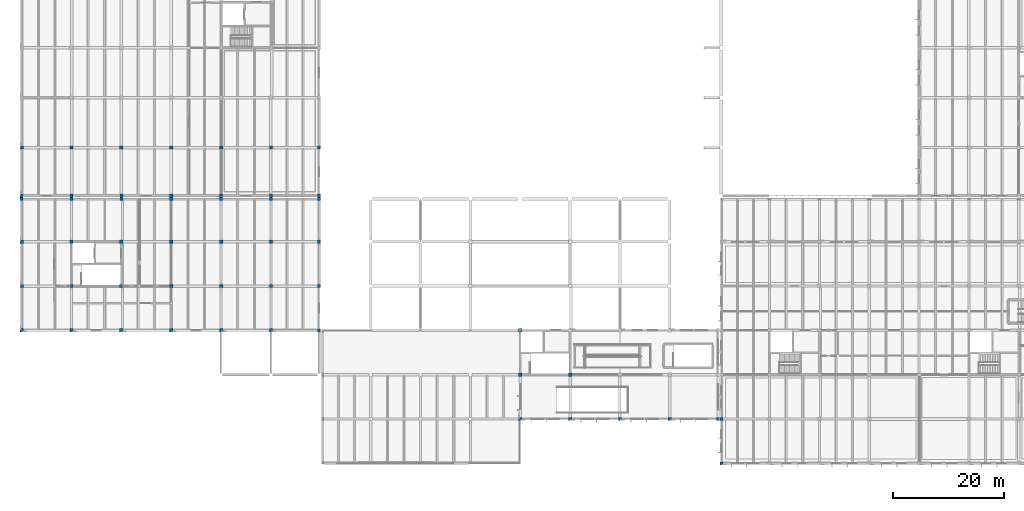
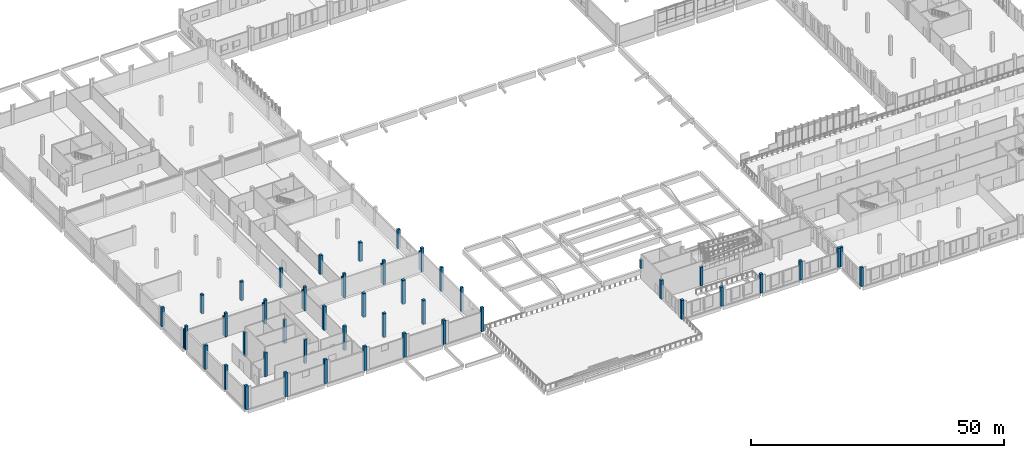
# One storey, part 1 of 63: 52 columns.
"""IFC4 building model written with IfcOpenShell, lengths in metres."""

from ifc_helpers import new_model, si_unit, direction, frame, origin, origin_2d, place, context, subcontext, project, spatial, rectangle, extrude, material, material_profile, profile_set, type_object, element, save


model = new_model("IFC4")

# Units and contexts
model_context = context("Model", 3, precision=1e-05, world=origin(), true_north=direction((0.0, 1.0)))
body_context = subcontext(model_context, "Body", "Model", "MODEL_VIEW")
ifc_project = project(units=[si_unit("LENGTHUNIT", "METRE"), si_unit("AREAUNIT", "SQUARE_METRE"), si_unit("VOLUMEUNIT", "CUBIC_METRE"), si_unit("PLANEANGLEUNIT", "RADIAN"), si_unit("MASSUNIT", "GRAM", prefix="KILO")], contexts=[model_context])

# Site, building, storey
site_placement = place(None, origin())
site = spatial("IfcSite", under=ifc_project, at=site_placement, CompositionType="ELEMENT")
building_placement = place(site_placement, origin())
building = spatial("IfcBuilding", under=site, at=building_placement, Name="Zacnel Wholesale Market", CompositionType="ELEMENT")
storey_placement = place(building_placement, frame((0.0, 0.0, 11.199951171875)))
storey = spatial("IfcBuildingStorey", under=building, at=storey_placement, Name="L03", CompositionType="ELEMENT", Elevation=11.199951171875)

# Columns
ifc_material_1 = material(Name="Precast concrete C45/55", Category="concrete")
ifc_material_profile_1 = material_profile(ifc_material_1, rectangle(XDim=0.550048828125, YDim=0.550048828125, at=origin_2d()), Name="PC 550x550")
ifc_profile_set_1 = profile_set([ifc_material_profile_1], Name="Precast concrete C45/55")
column_type_1 = type_object("IfcColumnType", Name="COL-PC550", PredefinedType="COLUMN", material=ifc_profile_set_1)
column_1_placement = place(storey_placement, frame((18.0, 47.699951171875, 0.0), z_axis=(0.0, 0.0, 1.0), x_axis=(1.0, 0.0, 0.0)))
element("IfcColumn", 1, at=column_1_placement, inside=storey, type_object=column_type_1, Name="Precast column L03-0649", PredefinedType="COLUMN", context=body_context, shape_type="SweptSolid", body=[
    extrude(rectangle(XDim=0.550048828125, YDim=0.550048828125, at=origin_2d()), origin(), (0.0, 0.0, 1.0), 5.75),
])
column_2_placement = place(storey_placement, frame((18.0, 48.300048828125, 0.0), z_axis=(0.0, 0.0, 1.0), x_axis=(1.0, 0.0, 0.0)))
element("IfcColumn", 2, at=column_2_placement, inside=storey, type_object=column_type_1, Name="Precast column L03-0650", PredefinedType="COLUMN", context=body_context, shape_type="SweptSolid", body=[
    extrude(rectangle(XDim=0.550048828125, YDim=0.550048828125, at=origin_2d()), origin(), (0.0, 0.0, 1.0), 4.550048828125),
])
column_3_placement = place(storey_placement, frame((27.0, 47.699951171875, 0.0), z_axis=(0.0, 0.0, 1.0), x_axis=(1.0, 0.0, 0.0)))
element("IfcColumn", 3, at=column_3_placement, inside=storey, type_object=column_type_1, Name="Precast column L03-0663", PredefinedType="COLUMN", context=body_context, shape_type="SweptSolid", body=[
    extrude(rectangle(XDim=0.550048828125, YDim=0.550048828125, at=origin_2d()), origin(), (0.0, 0.0, 1.0), 5.75),
])
column_4_placement = place(storey_placement, frame((27.0, 48.300048828125, 0.0), z_axis=(0.0, 0.0, 1.0), x_axis=(1.0, 0.0, 0.0)))
element("IfcColumn", 4, at=column_4_placement, inside=storey, type_object=column_type_1, Name="Precast column L03-0664", PredefinedType="COLUMN", context=body_context, shape_type="SweptSolid", body=[
    extrude(rectangle(XDim=0.550048828125, YDim=0.550048828125, at=origin_2d()), origin(), (0.0, 0.0, 1.0), 4.550048828125),
])
column_5_placement = place(storey_placement, frame((36.0, 47.699951171875, 0.0), z_axis=(0.0, 0.0, 1.0), x_axis=(1.0, 0.0, 0.0)))
element("IfcColumn", 5, at=column_5_placement, inside=storey, type_object=column_type_1, Name="Precast column L03-0677", PredefinedType="COLUMN", context=body_context, shape_type="SweptSolid", body=[
    extrude(rectangle(XDim=0.550048828125, YDim=0.550048828125, at=origin_2d()), origin(), (0.0, 0.0, 1.0), 5.75),
])
column_6_placement = place(storey_placement, frame((36.0, 48.300048828125, 0.0), z_axis=(0.0, 0.0, 1.0), x_axis=(1.0, 0.0, 0.0)))
element("IfcColumn", 6, at=column_6_placement, inside=storey, type_object=column_type_1, Name="Precast column L03-0678", PredefinedType="COLUMN", context=body_context, shape_type="SweptSolid", body=[
    extrude(rectangle(XDim=0.550048828125, YDim=0.550048828125, at=origin_2d()), origin(), (0.0, 0.0, 1.0), 4.550048828125),
])
column_7_placement = place(storey_placement, frame((45.0, 47.699951171875, 0.0), z_axis=(0.0, 0.0, 1.0), x_axis=(1.0, 0.0, 0.0)))
element("IfcColumn", 7, at=column_7_placement, inside=storey, type_object=column_type_1, Name="Precast column L03-0691", PredefinedType="COLUMN", context=body_context, shape_type="SweptSolid", body=[
    extrude(rectangle(XDim=0.550048828125, YDim=0.550048828125, at=origin_2d()), origin(), (0.0, 0.0, 1.0), 5.75),
])
column_8_placement = place(storey_placement, frame((45.0, 48.300048828125, 0.0), z_axis=(0.0, 0.0, 1.0), x_axis=(1.0, 0.0, 0.0)))
element("IfcColumn", 8, at=column_8_placement, inside=storey, type_object=column_type_1, Name="Precast column L03-0692", PredefinedType="COLUMN", context=body_context, shape_type="SweptSolid", body=[
    extrude(rectangle(XDim=0.550048828125, YDim=0.550048828125, at=origin_2d()), origin(), (0.0, 0.0, 1.0), 4.550048828125),
])
column_9_placement = place(storey_placement, frame((54.0, 47.699951171875, 0.0), z_axis=(0.0, 0.0, 1.0), x_axis=(1.0, 0.0, 0.0)))
element("IfcColumn", 9, at=column_9_placement, inside=storey, type_object=column_type_1, Name="Precast column L03-0705", PredefinedType="COLUMN", context=body_context, shape_type="SweptSolid", body=[
    extrude(rectangle(XDim=0.550048828125, YDim=0.550048828125, at=origin_2d()), origin(), (0.0, 0.0, 1.0), 5.75),
])
column_10_placement = place(storey_placement, frame((54.0, 48.300048828125, 0.0), z_axis=(0.0, 0.0, 1.0), x_axis=(1.0, 0.0, 0.0)))
element("IfcColumn", 10, at=column_10_placement, inside=storey, type_object=column_type_1, Name="Precast column L03-0706", PredefinedType="COLUMN", context=body_context, shape_type="SweptSolid", body=[
    extrude(rectangle(XDim=0.550048828125, YDim=0.550048828125, at=origin_2d()), origin(), (0.0, 0.0, 1.0), 4.550048828125),
])
column_11_placement = place(storey_placement, frame((63.0, 47.699951171875, 0.0), z_axis=(0.0, 0.0, 1.0), x_axis=(1.0, 0.0, 0.0)))
element("IfcColumn", 11, at=column_11_placement, inside=storey, type_object=column_type_1, Name="Precast column L03-0719", PredefinedType="COLUMN", context=body_context, shape_type="SweptSolid", body=[
    extrude(rectangle(XDim=0.550048828125, YDim=0.550048828125, at=origin_2d()), origin(), (0.0, 0.0, 1.0), 5.75),
])
column_12_placement = place(storey_placement, frame((63.0, 48.300048828125, 0.0), z_axis=(0.0, 0.0, 1.0), x_axis=(1.0, 0.0, 0.0)))
element("IfcColumn", 12, at=column_12_placement, inside=storey, type_object=column_type_1, Name="Precast column L03-0720", PredefinedType="COLUMN", context=body_context, shape_type="SweptSolid", body=[
    extrude(rectangle(XDim=0.550048828125, YDim=0.550048828125, at=origin_2d()), origin(), (0.0, 0.0, 1.0), 4.550048828125),
])
for number, where, z_axis, x_axis, name in (
    (13, (71.699951171875, 24.0, 0.0), (0.0, 0.0, 1.0), (1.0, 0.0, 0.0), "Precast column L03-0730"),
    (14, (71.699951171875, 32.0, 0.0), (0.0, 0.0, 1.0), (1.0, 0.0, 0.0), "Precast column L03-0731"),
    (15, (71.699951171875, 40.0, 0.0), (0.0, 0.0, 1.0), (1.0, 0.0, 0.0), "Precast column L03-0732"),
    (16, (71.699951171875, 47.699951171875, 0.0), (0.0, 0.0, 1.0), (1.0, 0.0, 0.0), "Precast column L03-0733"),
):
    element("IfcColumn", number, at=place(storey_placement, frame(where, z_axis=z_axis, x_axis=x_axis)), inside=storey, type_object=column_type_1, Name=name, PredefinedType="COLUMN", context=body_context, shape_type="SweptSolid", body=[
        extrude(rectangle(XDim=0.550048828125, YDim=0.550048828125, at=origin_2d()), origin(), (0.0, 0.0, 1.0), 5.75),
    ])
for number, where, z_axis, x_axis, name in (
    (17, (71.699951171875, 48.300048828125, 0.0), (0.0, 0.0, 1.0), (1.0, 0.0, 0.0), "Precast column L03-0734"),
    (18, (71.699951171875, 57.0, 0.0), (0.0, 0.0, 1.0), (1.0, 0.0, 0.0), "Precast column L03-0735"),
    (19, (144.300048828125, 0.0, 0.0), (0.0, 0.0, 1.0), (1.0, 0.0, 0.0), "Precast column L03-0762"),
    (20, (144.300048828125, 8.0, 0.0), (0.0, 0.0, 1.0), (1.0, 0.0, 0.0), "Precast column L03-0763"),
):
    element("IfcColumn", number, at=place(storey_placement, frame(where, z_axis=z_axis, x_axis=x_axis)), inside=storey, type_object=column_type_1, Name=name, PredefinedType="COLUMN", context=body_context, shape_type="SweptSolid", body=[
        extrude(rectangle(XDim=0.550048828125, YDim=0.550048828125, at=origin_2d()), origin(), (0.0, 0.0, 1.0), 4.550048828125),
    ])
ifc_material_2 = material(Name="Precast concrete C45/55", Category="concrete")
ifc_material_profile_2 = material_profile(ifc_material_2, rectangle(XDim=0.60009765625, YDim=0.60009765625, at=origin_2d()), Name="PC 600x600")
ifc_profile_set_2 = profile_set([ifc_material_profile_2], Name="Precast concrete C45/55")
column_type_2 = type_object("IfcColumnType", Name="COL-PC600", PredefinedType="COLUMN", material=ifc_profile_set_2)
for number, where, z_axis, x_axis, name in (
    (21, (18.0, 24.0, 0.0), (0.0, 0.0, 1.0), (1.0, 0.0, 0.0), "Precast column L03-0646"),
    (22, (18.0, 32.0, 0.0), (0.0, 0.0, 1.0), (1.0, 0.0, 0.0), "Precast column L03-0647"),
    (23, (18.0, 40.0, 0.0), (0.0, 0.0, 1.0), (1.0, 0.0, 0.0), "Precast column L03-0648"),
):
    element("IfcColumn", number, at=place(storey_placement, frame(where, z_axis=z_axis, x_axis=x_axis)), inside=storey, type_object=column_type_2, Name=name, PredefinedType="COLUMN", context=body_context, shape_type="SweptSolid", body=[
        extrude(rectangle(XDim=0.60009765625, YDim=0.60009765625, at=origin_2d()), origin(), (0.0, 0.0, 1.0), 5.75),
    ])
column_13_placement = place(storey_placement, frame((18.0, 57.0, 0.0), z_axis=(0.0, 0.0, 1.0), x_axis=(1.0, 0.0, 0.0)))
element("IfcColumn", 24, at=column_13_placement, inside=storey, type_object=column_type_2, Name="Precast column L03-0651", PredefinedType="COLUMN", context=body_context, shape_type="SweptSolid", body=[
    extrude(rectangle(XDim=0.60009765625, YDim=0.60009765625, at=origin_2d()), origin(), (0.0, 0.0, 1.0), 4.550048828125),
])
for number, where, z_axis, x_axis, name in (
    (25, (27.0, 24.0, 0.0), (0.0, 0.0, 1.0), (1.0, 0.0, 0.0), "Precast column L03-0660"),
    (26, (27.0, 32.0, 0.0), (0.0, 0.0, 1.0), (1.0, 0.0, 0.0), "Precast column L03-0661"),
    (27, (27.0, 40.0, 0.0), (0.0, 0.0, 1.0), (1.0, 0.0, 0.0), "Precast column L03-0662"),
):
    element("IfcColumn", number, at=place(storey_placement, frame(where, z_axis=z_axis, x_axis=x_axis)), inside=storey, type_object=column_type_2, Name=name, PredefinedType="COLUMN", context=body_context, shape_type="SweptSolid", body=[
        extrude(rectangle(XDim=0.60009765625, YDim=0.60009765625, at=origin_2d()), origin(), (0.0, 0.0, 1.0), 5.75),
    ])
column_14_placement = place(storey_placement, frame((27.0, 57.0, 0.0), z_axis=(0.0, 0.0, 1.0), x_axis=(1.0, 0.0, 0.0)))
element("IfcColumn", 28, at=column_14_placement, inside=storey, type_object=column_type_2, Name="Precast column L03-0665", PredefinedType="COLUMN", context=body_context, shape_type="SweptSolid", body=[
    extrude(rectangle(XDim=0.60009765625, YDim=0.60009765625, at=origin_2d()), origin(), (0.0, 0.0, 1.0), 4.550048828125),
])
for number, where, z_axis, x_axis, name in (
    (29, (36.0, 24.0, 0.0), (0.0, 0.0, 1.0), (1.0, 0.0, 0.0), "Precast column L03-0674"),
    (30, (36.0, 32.0, 0.0), (0.0, 0.0, 1.0), (1.0, 0.0, 0.0), "Precast column L03-0675"),
    (31, (36.0, 40.0, 0.0), (0.0, 0.0, 1.0), (1.0, 0.0, 0.0), "Precast column L03-0676"),
):
    element("IfcColumn", number, at=place(storey_placement, frame(where, z_axis=z_axis, x_axis=x_axis)), inside=storey, type_object=column_type_2, Name=name, PredefinedType="COLUMN", context=body_context, shape_type="SweptSolid", body=[
        extrude(rectangle(XDim=0.60009765625, YDim=0.60009765625, at=origin_2d()), origin(), (0.0, 0.0, 1.0), 5.75),
    ])
column_15_placement = place(storey_placement, frame((36.0, 57.0, 0.0), z_axis=(0.0, 0.0, 1.0), x_axis=(1.0, 0.0, 0.0)))
element("IfcColumn", 32, at=column_15_placement, inside=storey, type_object=column_type_2, Name="Precast column L03-0679", PredefinedType="COLUMN", context=body_context, shape_type="SweptSolid", body=[
    extrude(rectangle(XDim=0.60009765625, YDim=0.60009765625, at=origin_2d()), origin(), (0.0, 0.0, 1.0), 4.550048828125),
])
for number, where, z_axis, x_axis, name in (
    (33, (45.0, 24.0, 0.0), (0.0, 0.0, 1.0), (1.0, 0.0, 0.0), "Precast column L03-0688"),
    (34, (45.0, 32.0, 0.0), (0.0, 0.0, 1.0), (1.0, 0.0, 0.0), "Precast column L03-0689"),
    (35, (45.0, 40.0, 0.0), (0.0, 0.0, 1.0), (1.0, 0.0, 0.0), "Precast column L03-0690"),
):
    element("IfcColumn", number, at=place(storey_placement, frame(where, z_axis=z_axis, x_axis=x_axis)), inside=storey, type_object=column_type_2, Name=name, PredefinedType="COLUMN", context=body_context, shape_type="SweptSolid", body=[
        extrude(rectangle(XDim=0.60009765625, YDim=0.60009765625, at=origin_2d()), origin(), (0.0, 0.0, 1.0), 5.75),
    ])
column_16_placement = place(storey_placement, frame((45.0, 57.0, 0.0), z_axis=(0.0, 0.0, 1.0), x_axis=(1.0, 0.0, 0.0)))
element("IfcColumn", 36, at=column_16_placement, inside=storey, type_object=column_type_2, Name="Precast column L03-0693", PredefinedType="COLUMN", context=body_context, shape_type="SweptSolid", body=[
    extrude(rectangle(XDim=0.60009765625, YDim=0.60009765625, at=origin_2d()), origin(), (0.0, 0.0, 1.0), 4.550048828125),
])
for number, where, z_axis, x_axis, name in (
    (37, (54.0, 24.0, 0.0), (0.0, 0.0, 1.0), (1.0, 0.0, 0.0), "Precast column L03-0702"),
    (38, (54.0, 32.0, 0.0), (0.0, 0.0, 1.0), (1.0, 0.0, 0.0), "Precast column L03-0703"),
    (39, (54.0, 40.0, 0.0), (0.0, 0.0, 1.0), (1.0, 0.0, 0.0), "Precast column L03-0704"),
):
    element("IfcColumn", number, at=place(storey_placement, frame(where, z_axis=z_axis, x_axis=x_axis)), inside=storey, type_object=column_type_2, Name=name, PredefinedType="COLUMN", context=body_context, shape_type="SweptSolid", body=[
        extrude(rectangle(XDim=0.60009765625, YDim=0.60009765625, at=origin_2d()), origin(), (0.0, 0.0, 1.0), 5.75),
    ])
column_17_placement = place(storey_placement, frame((54.0, 57.0, 0.0), z_axis=(0.0, 0.0, 1.0), x_axis=(1.0, 0.0, 0.0)))
element("IfcColumn", 40, at=column_17_placement, inside=storey, type_object=column_type_2, Name="Precast column L03-0707", PredefinedType="COLUMN", context=body_context, shape_type="SweptSolid", body=[
    extrude(rectangle(XDim=0.60009765625, YDim=0.60009765625, at=origin_2d()), origin(), (0.0, 0.0, 1.0), 4.550048828125),
])
for number, where, z_axis, x_axis, name in (
    (41, (63.0, 24.0, 0.0), (0.0, 0.0, 1.0), (1.0, 0.0, 0.0), "Precast column L03-0716"),
    (42, (63.0, 32.0, 0.0), (0.0, 0.0, 1.0), (1.0, 0.0, 0.0), "Precast column L03-0717"),
    (43, (63.0, 40.0, 0.0), (0.0, 0.0, 1.0), (1.0, 0.0, 0.0), "Precast column L03-0718"),
):
    element("IfcColumn", number, at=place(storey_placement, frame(where, z_axis=z_axis, x_axis=x_axis)), inside=storey, type_object=column_type_2, Name=name, PredefinedType="COLUMN", context=body_context, shape_type="SweptSolid", body=[
        extrude(rectangle(XDim=0.60009765625, YDim=0.60009765625, at=origin_2d()), origin(), (0.0, 0.0, 1.0), 5.75),
    ])
for number, where, z_axis, x_axis, name in (
    (44, (63.0, 57.0, 0.0), (0.0, 0.0, 1.0), (1.0, 0.0, 0.0), "Precast column L03-0721"),
    (45, (108.0, 8.0, 0.0), (0.0, 0.0, 1.0), (1.0, 0.0, 0.0), "Precast wing column V4EL3-008"),
    (46, (108.0, 16.0, 0.0), (0.0, 0.0, 1.0), (1.0, 0.0, 0.0), "Precast wing column V4EL3-009"),
):
    element("IfcColumn", number, at=place(storey_placement, frame(where, z_axis=z_axis, x_axis=x_axis)), inside=storey, type_object=column_type_2, Name=name, PredefinedType="COLUMN", context=body_context, shape_type="SweptSolid", body=[
        extrude(rectangle(XDim=0.60009765625, YDim=0.60009765625, at=origin_2d()), origin(), (0.0, 0.0, 1.0), 4.550048828125),
    ])
column_18_placement = place(storey_placement, frame((108.0, 24.0, 2.449951171875), z_axis=(0.0, 0.0, 1.0), x_axis=(1.0, 0.0, 0.0)))
element("IfcColumn", 47, at=column_18_placement, inside=storey, type_object=column_type_2, Name="Precast wing column V4EL3-010", PredefinedType="COLUMN", context=body_context, shape_type="SweptSolid", body=[
    extrude(rectangle(XDim=0.60009765625, YDim=0.60009765625, at=origin_2d()), origin(), (0.0, 0.0, 1.0), 2.10009765625),
])
for number, where, z_axis, x_axis, name in (
    (48, (117.0, 8.0, 0.0), (0.0, 0.0, 1.0), (1.0, 0.0, 0.0), "Precast wing column V4EL3-011"),
    (49, (117.0, 16.0, 0.0), (0.0, 0.0, 1.0), (1.0, 0.0, 0.0), "Precast wing column V4EL3-012"),
    (50, (126.0, 8.0, 0.0), (0.0, 0.0, 1.0), (1.0, 0.0, 0.0), "Precast wing column V4EL3-014"),
    (51, (135.0, 8.0, 0.0), (0.0, 0.0, 1.0), (1.0, 0.0, 0.0), "Precast wing column V4EL3-017"),
    (52, (143.699951171875, 8.0, 0.0), (0.0, 0.0, 1.0), (1.0, 0.0, 0.0), "Precast wing column V4EL3-020"),
):
    element("IfcColumn", number, at=place(storey_placement, frame(where, z_axis=z_axis, x_axis=x_axis)), inside=storey, type_object=column_type_2, Name=name, PredefinedType="COLUMN", context=body_context, shape_type="SweptSolid", body=[
        extrude(rectangle(XDim=0.60009765625, YDim=0.60009765625, at=origin_2d()), origin(), (0.0, 0.0, 1.0), 4.550048828125),
    ])

save(model, "model.ifc")
